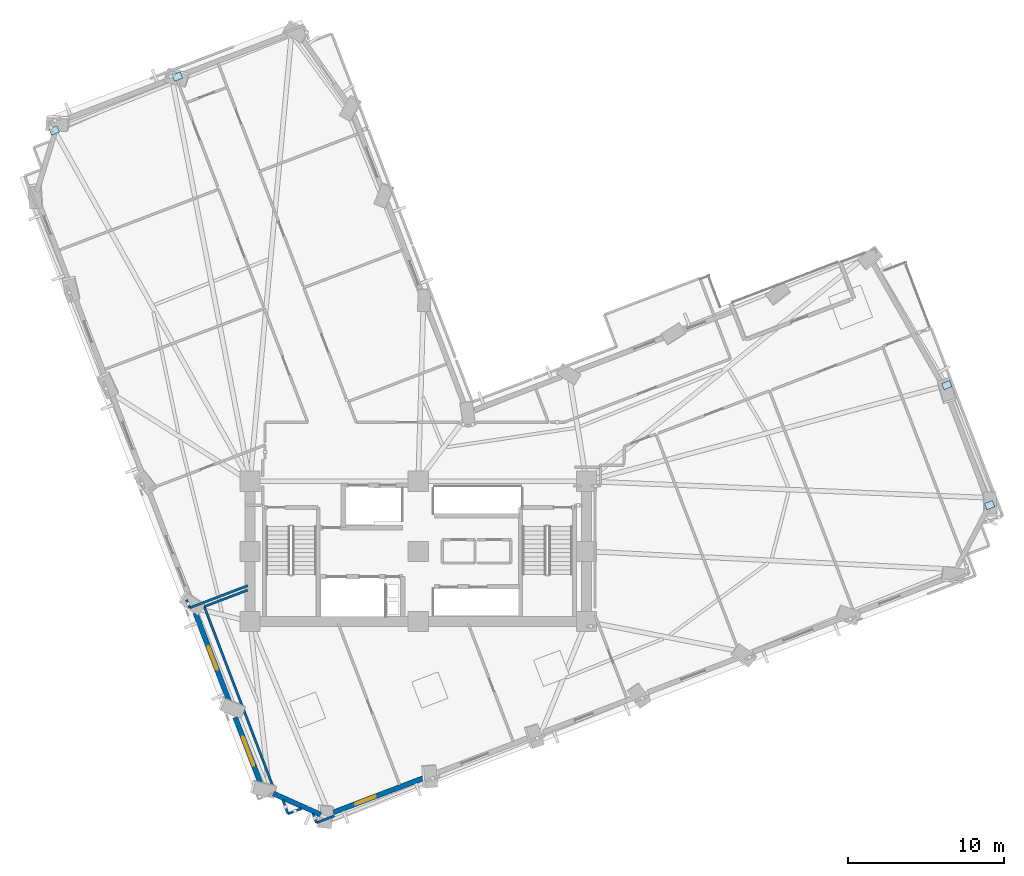
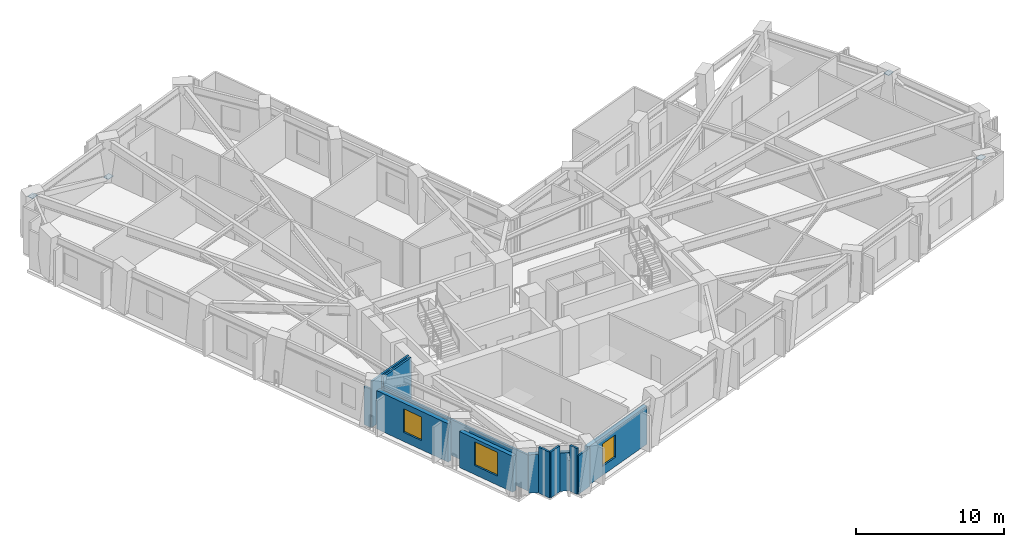
# One storey, part 7 of 15: 12 walls, 4 plates, 3 windows, 3 openings.
"""IFC4 building model written with IfcOpenShell, lengths in metres."""

from ifc_helpers import new_model, si_unit, direction, frame, frame_2d, origin, origin_2d, place, context, subcontext, project, spatial, rectangle, extrude, material, layer, layer_set, type_object, element, fill, save


model = new_model("IFC4")

# Units and contexts
model_context = context("Model", 3, precision=1e-05, world=origin(), true_north=direction((0.0, 1.0)))
body_context = subcontext(model_context, "Body", "Model", "MODEL_VIEW")
ifc_project = project(units=[si_unit("LENGTHUNIT", "METRE"), si_unit("AREAUNIT", "SQUARE_METRE"), si_unit("VOLUMEUNIT", "CUBIC_METRE"), si_unit("PLANEANGLEUNIT", "RADIAN"), si_unit("MASSUNIT", "GRAM", prefix="KILO")], contexts=[model_context])

# Site, building, storey
site_placement = place(None, origin())
site = spatial("IfcSite", under=ifc_project, at=site_placement, CompositionType="ELEMENT")
building_placement = place(site_placement, origin())
building = spatial("IfcBuilding", under=site, at=building_placement, Name="Gaonmaruhae Medical Tower", CompositionType="ELEMENT")
storey_placement = place(building_placement, frame((0.0, 0.0, 112.39990234375)))
storey = spatial("IfcBuildingStorey", under=building, at=storey_placement, Name="L26", CompositionType="ELEMENT", Elevation=112.39990234375)

# Plates
ifc_material_1 = material(Name="Steel HSA650 (650 MPa)", Category="steel")
ifc_layer_1 = layer(ifc_material_1, 0.028076171875)
ifc_layer_set_1 = layer_set([ifc_layer_1], Name="Steel HSA650 (650 MPa)")
plate_type = type_object("IfcPlateType", Name="GP-02 Tube Brace End Cap Gusset Plate", PredefinedType="USERDEFINED", material=ifc_layer_set_1)
for number, where, z_axis, x_axis, name in (
    (1, (61.484130859375, 15.270263671875, 0.23583984375), (0.0, 0.0, 1.0), (0.934204474321, 0.35673799932, 0.0), "L26 Gusset Cap Plate PLT-L26-PBR-E01A"),
    (2, (58.7353515625, 22.9736328125, 3.51611328125), (0.0, 0.0, 1.0), (0.928161393808, 0.372177950778, 0.0), "L26 Gusset Cap Plate PLT-L26-PBR-E01B"),
    (3, (9.340087890625, 42.778564453125, 0.23583984375), (0.0, 0.0, 1.0), (0.934204474321, 0.35673799932, 0.0), "L26 Gusset Cap Plate PLT-L26-PBR-N02A"),
    (4, (1.4345703125, 39.322021484375, 3.51611328125), (0.0, 0.0, 1.0), (0.928161393808, 0.372177950778, 0.0), "L26 Gusset Cap Plate PLT-L26-PBR-N02B"),
):
    element("IfcPlate", number, at=place(storey_placement, frame(where, z_axis=z_axis, x_axis=x_axis)), inside=storey, type_object=plate_type, Name=name, ObjectType="GUSSET_PLATE", PredefinedType="USERDEFINED", context=body_context, shape_type="SweptSolid", body=[
        extrude(rectangle(XDim=0.56005859375, YDim=0.43994140625, at=origin_2d()), origin(), (0.0, 0.0, 1.0), 0.028076171875),
    ])

# Wall, opening, window
ifc_material_2 = material(Name="Precast concrete C45/55", Category="concrete")
ifc_layer_2 = layer(ifc_material_2, 0.320068359375)
ifc_layer_set_2 = layer_set([ifc_layer_2], Name="Precast concrete C45/55")
wall_type_1 = type_object("IfcWallType", Name="EW-320 Lower Precast Masonry-Frame Facade Wall", PredefinedType="SOLIDWALL", material=ifc_layer_set_2)
wall_1_placement = place(storey_placement, frame((25.197998046875, -2.225341796875, 0.0), z_axis=(0.0, 0.0, 1.0), x_axis=(-0.93419502728, -0.356762737691, 0.0)))
wall_1 = element("IfcWall", 5, at=wall_1_placement, inside=storey, type_object=wall_type_1, Name="L26 Precast Masonry-Frame Wall S01-S02", PredefinedType="SOLIDWALL", context=body_context, shape_type="SweptSolid", body=[
    extrude(rectangle(XDim=6.269775390625, YDim=0.320068359375, at=frame_2d((3.134765625, 0.0))), origin(), (0.0, 0.0, 1.0), 3.1650390625),
])
opening_1_placement = place(wall_1_placement, frame((3.351806640625, 0.0, 0.75)))
opening_1 = element("IfcOpeningElement", 6, at=opening_1_placement, cuts=wall_1, Name="Opening WN-03", PredefinedType="OPENING", context=body_context, shape_type="SweptSolid", body=[
    extrude(rectangle(XDim=1.39990234375, YDim=1.85009765625, at=frame_2d((0.699951171875, 0.925048828125))), frame((0.0, 0.169921875, 0.0), z_axis=(0.0, -1.0, 0.0), x_axis=(1.0, 0.0, 0.0)), (0.0, 0.0, 1.0), 0.340087890625),
])
ifc_material_3 = material(Name="Anodised aluminium and Low-E double glazing", Category="aluminium")
window_type_1 = type_object("IfcWindowType", Name="WN-03 Isolation Ward Punched Window 1400x1850", PartitioningType="SINGLE_PANEL", PredefinedType="WINDOW", material=ifc_material_3)
window_1_placement = place(opening_1_placement, origin())
window_1 = element("IfcWindow", 7, at=window_1_placement, inside=storey, type_object=window_type_1, Name="L26 Modular Facade Window S01", OverallHeight=1.85009765625, OverallWidth=1.39990234375, PartitioningType="SINGLE_PANEL", PredefinedType="WINDOW", context=body_context, shape_type="SweptSolid", body=[
    extrude(rectangle(XDim=1.39990234375, YDim=1.85009765625, at=frame_2d((0.699951171875, 0.925048828125))), frame((0.0, 0.030029296875, 0.0), z_axis=(0.0, -1.0, 0.0), x_axis=(1.0, 0.0, 0.0)), (0.0, 0.0, 1.0), 0.06005859375),
])
fill(opening_1, window_1)

wall_2_placement = place(storey_placement, frame((12.71630859375, 2.541748046875, 0.0), z_axis=(0.0, 0.0, 1.0), x_axis=(-0.35674887544, 0.934200321062, 0.0)))
wall_2 = element("IfcWall", 8, at=wall_2_placement, inside=storey, type_object=wall_type_1, Name="L26 Precast Masonry-Frame Wall W05-W06", PredefinedType="SOLIDWALL", context=body_context, shape_type="SweptSolid", body=[
    extrude(rectangle(XDim=6.223388671875, YDim=0.320068359375, at=frame_2d((3.11181640625, 0.0))), origin(), (0.0, 0.0, 1.0), 3.1650390625),
])
opening_2_placement = place(wall_2_placement, frame((2.314208984375, 0.0, 0.75)))
opening_2 = element("IfcOpeningElement", 9, at=opening_2_placement, cuts=wall_2, Name="Opening WN-01", PredefinedType="OPENING", context=body_context, shape_type="SweptSolid", body=[
    extrude(rectangle(XDim=1.60009765625, YDim=1.949951171875, at=frame_2d((0.800048828125, 0.97509765625))), frame((0.0, 0.169921875, 0.0), z_axis=(0.0, -1.0, 0.0), x_axis=(1.0, 0.0, 0.0)), (0.0, 0.0, 1.0), 0.340087890625),
])
window_type_2 = type_object("IfcWindowType", Name="WN-01 Ward Punched Acoustic Window 1600x1950", PartitioningType="SINGLE_PANEL", PredefinedType="WINDOW", material=ifc_material_3)
window_2_placement = place(opening_2_placement, origin())
window_2 = element("IfcWindow", 10, at=window_2_placement, inside=storey, type_object=window_type_2, Name="L26 Modular Facade Window W05", OverallHeight=1.949951171875, OverallWidth=1.60009765625, PartitioningType="SINGLE_PANEL", PredefinedType="WINDOW", context=body_context, shape_type="SweptSolid", body=[
    extrude(rectangle(XDim=1.60009765625, YDim=1.949951171875, at=frame_2d((0.800048828125, 0.97509765625))), frame((0.0, 0.030029296875, 0.0), z_axis=(0.0, -1.0, 0.0), x_axis=(1.0, 0.0, 0.0)), (0.0, 0.0, 1.0), 0.06005859375),
])
fill(opening_2, window_2)

wall_3_placement = place(storey_placement, frame((14.71875, -2.7021484375, 0.0), z_axis=(0.0, 0.0, 1.0), x_axis=(-0.356735742153, 0.934205336246, 0.0)))
wall_3 = element("IfcWall", 11, at=wall_3_placement, inside=storey, type_object=wall_type_1, Name="L26 Precast Masonry-Frame Wall W06-W07", PredefinedType="SOLIDWALL", context=body_context, shape_type="SweptSolid", body=[
    extrude(rectangle(XDim=4.647705078125, YDim=0.320068359375, at=frame_2d((2.32373046875, 0.0))), origin(), (0.0, 0.0, 1.0), 2.965087890625),
])
opening_3_placement = place(wall_3_placement, frame((1.3271484375, 0.0, 0.75)))
opening_3 = element("IfcOpeningElement", 12, at=opening_3_placement, cuts=wall_3, Name="Opening WN-02", PredefinedType="OPENING", context=body_context, shape_type="SweptSolid", body=[
    extrude(rectangle(XDim=2.0, YDim=1.949951171875, at=frame_2d((1.0, 0.97509765625))), frame((0.0, 0.169921875, 0.0), z_axis=(0.0, -1.0, 0.0), x_axis=(1.0, 0.0, 0.0)), (0.0, 0.0, 1.0), 0.340087890625),
])
window_type_3 = type_object("IfcWindowType", Name="WN-02 Double-Bed Ward Punched Window 2000x1950", PartitioningType="SINGLE_PANEL", PredefinedType="WINDOW", material=ifc_material_3)
window_3_placement = place(opening_3_placement, origin())
window_3 = element("IfcWindow", 13, at=window_3_placement, inside=storey, type_object=window_type_3, Name="L26 Modular Facade Window W06", OverallHeight=1.949951171875, OverallWidth=2.0, PartitioningType="SINGLE_PANEL", PredefinedType="WINDOW", context=body_context, shape_type="SweptSolid", body=[
    extrude(rectangle(XDim=2.0, YDim=1.949951171875, at=frame_2d((1.0, 0.97509765625))), frame((0.0, 0.030029296875, 0.0), z_axis=(0.0, -1.0, 0.0), x_axis=(1.0, 0.0, 0.0)), (0.0, 0.0, 1.0), 0.06005859375),
])
fill(opening_3, window_3)

# Walls
wall_4_placement = place(storey_placement, frame((18.539794921875, -4.599609375, 0.0), z_axis=(0.0, 0.0, 1.0), x_axis=(-0.912848521095, 0.408298392766, 0.0)))
element("IfcWall", 14, at=wall_4_placement, inside=storey, type_object=wall_type_1, Name="L26 Precast Masonry-Frame Wall W07-S01", PredefinedType="SOLIDWALL", context=body_context, shape_type="SweptSolid", body=[
    extrude(rectangle(XDim=3.32275390625, YDim=0.320068359375, at=frame_2d((1.661376953125, 0.0))), origin(), (0.0, 0.0, 1.0), 3.1650390625),
])
ifc_material_4 = material(Name="Gypsum board partition", Category="gypsum")
ifc_layer_3 = layer(ifc_material_4, 0.14990234375)
ifc_layer_set_3 = layer_set([ifc_layer_3], Name="Gypsum board partition")
wall_type_2 = type_object("IfcWallType", Name="PW-150 Rated Clinical Corridor Partition", PredefinedType="PARTITIONING", material=ifc_layer_set_3)
wall_5_placement = place(storey_placement, frame((16.44189453125, -4.552001953125, 0.0), z_axis=(0.0, 0.0, 1.0), x_axis=(-0.356418758873, 0.934326317902, 0.0)))
element("IfcWall", 15, at=wall_5_placement, inside=storey, type_object=wall_type_2, Name="L26 Interior Partition L26-SUP01-8", PredefinedType="PARTITIONING", context=body_context, shape_type="SweptSolid", body=[
    extrude(rectangle(XDim=0.958984375, YDim=0.14990234375, at=frame_2d((0.4794921875, 0.0))), origin(), (0.0, 0.0, 1.0), 3.780029296875),
])
wall_6_placement = place(storey_placement, frame((15.60888671875, -3.14111328125, 0.0), z_axis=(0.0, 0.0, 1.0), x_axis=(-0.356728640105, 0.934208048204, 0.0)))
element("IfcWall", 16, at=wall_6_placement, inside=storey, type_object=wall_type_2, Name="L26 Interior Partition L26-SUP01-9", PredefinedType="PARTITIONING", context=body_context, shape_type="SweptSolid", body=[
    extrude(rectangle(XDim=12.735107421875, YDim=0.14990234375, at=frame_2d((6.36767578125, 0.0))), origin(), (0.0, 0.0, 1.0), 2.965087890625),
])
wall_7_placement = place(storey_placement, frame((11.06591796875, 8.756103515625, 0.0), z_axis=(0.0, 0.0, 1.0), x_axis=(0.934376103135, 0.356288223057, 0.0)))
element("IfcWall", 17, at=wall_7_placement, inside=storey, type_object=wall_type_2, Name="L26 Interior Partition L26-SUP01-10", PredefinedType="PARTITIONING", context=body_context, shape_type="SweptSolid", body=[
    extrude(rectangle(XDim=2.980712890625, YDim=0.14990234375, at=frame_2d((1.490234375, 0.0))), origin(), (0.0, 0.0, 1.0), 3.780029296875),
])
wall_8_placement = place(storey_placement, frame((19.423095703125, -4.677001953125, 0.0), z_axis=(0.0, 0.0, 1.0), x_axis=(-0.934406652465, -0.356208096243, 0.0)))
element("IfcWall", 18, at=wall_8_placement, inside=storey, type_object=wall_type_2, Name="L26 Interior Partition L26-SUP01-12", PredefinedType="PARTITIONING", context=body_context, shape_type="SweptSolid", body=[
    extrude(rectangle(XDim=1.240478515625, YDim=0.14990234375, at=frame_2d((0.6201171875, 0.0))), origin(), (0.0, 0.0, 1.0), 3.1650390625),
])
wall_9_placement = place(storey_placement, frame((18.263916015625, -5.118896484375, 0.0), z_axis=(0.0, 0.0, 1.0), x_axis=(-0.356853132168, 0.934160501232, 0.0)))
element("IfcWall", 19, at=wall_9_placement, inside=storey, type_object=wall_type_2, Name="L26 Interior Partition L26-SUP01-13", PredefinedType="PARTITIONING", context=body_context, shape_type="SweptSolid", body=[
    extrude(rectangle(XDim=0.638916015625, YDim=0.14990234375, at=frame_2d((0.3193359375, 0.0))), origin(), (0.0, 0.0, 1.0), 3.780029296875),
])
wall_10_placement = place(storey_placement, frame((17.337890625, -4.2099609375, 0.0), z_axis=(0.0, 0.0, 1.0), x_axis=(-0.934241519512, -0.356640972435, 0.0)))
element("IfcWall", 20, at=wall_10_placement, inside=storey, type_object=wall_type_2, Name="L26 Interior Partition L26-SUP01-14", PredefinedType="PARTITIONING", context=body_context, shape_type="SweptSolid", body=[
    extrude(rectangle(XDim=0.958984375, YDim=0.14990234375, at=frame_2d((0.4794921875, 0.0))), origin(), (0.0, 0.0, 1.0), 3.780029296875),
])
wall_11_placement = place(storey_placement, frame((13.85107421875, 10.096923828125, 0.0), z_axis=(0.0, 0.0, 1.0), x_axis=(-0.934274053159, -0.356555737009, 0.0)))
element("IfcWall", 21, at=wall_11_placement, inside=storey, type_object=wall_type_2, Name="L26 Interior Partition L26-WOF07-42", PredefinedType="PARTITIONING", context=body_context, shape_type="SweptSolid", body=[
    extrude(rectangle(XDim=3.985107421875, YDim=0.14990234375, at=frame_2d((1.99267578125, 0.0))), origin(), (0.0, 0.0, 1.0), 3.780029296875),
])
wall_12_placement = place(storey_placement, frame((10.1279296875, 8.676025390625, 0.0), z_axis=(0.0, 0.0, 1.0), x_axis=(-0.356415622783, 0.934327514224, 0.0)))
element("IfcWall", 22, at=wall_12_placement, inside=storey, type_object=wall_type_2, Name="L26 Interior Partition L26-WOF07-43", PredefinedType="PARTITIONING", context=body_context, shape_type="SweptSolid", body=[
    extrude(rectangle(XDim=0.555419921875, YDim=0.14990234375, at=frame_2d((0.27783203125, 0.0))), origin(), (0.0, 0.0, 1.0), 3.1650390625),
])

save(model, "model.ifc")
